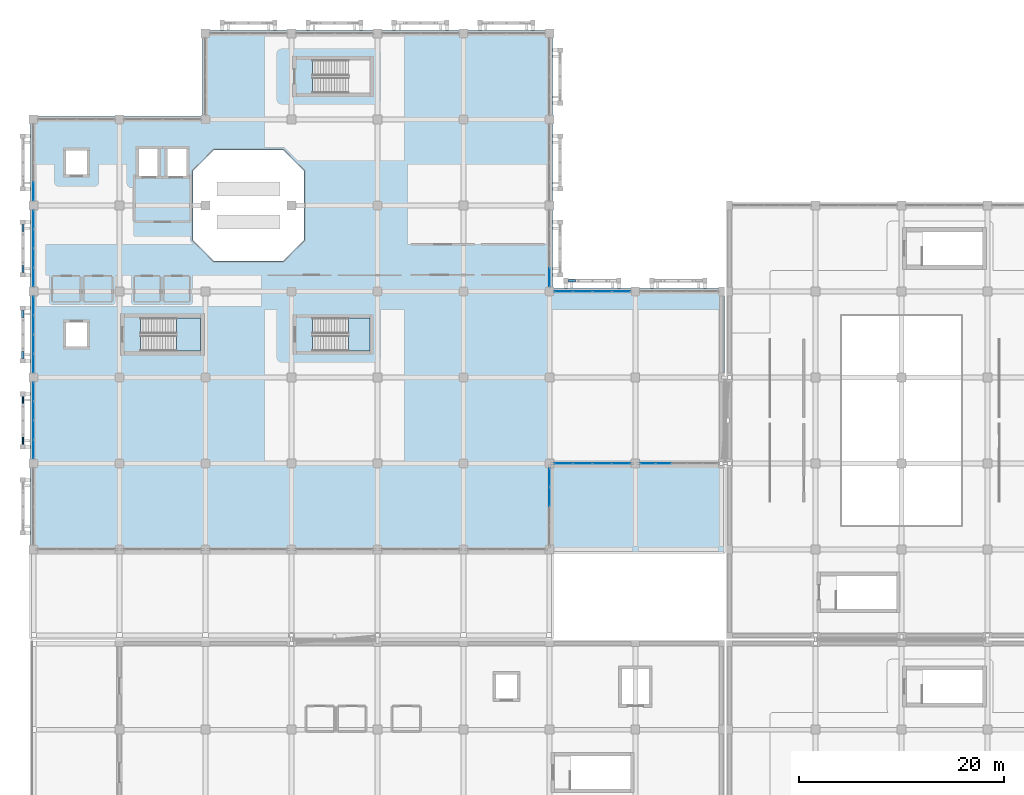
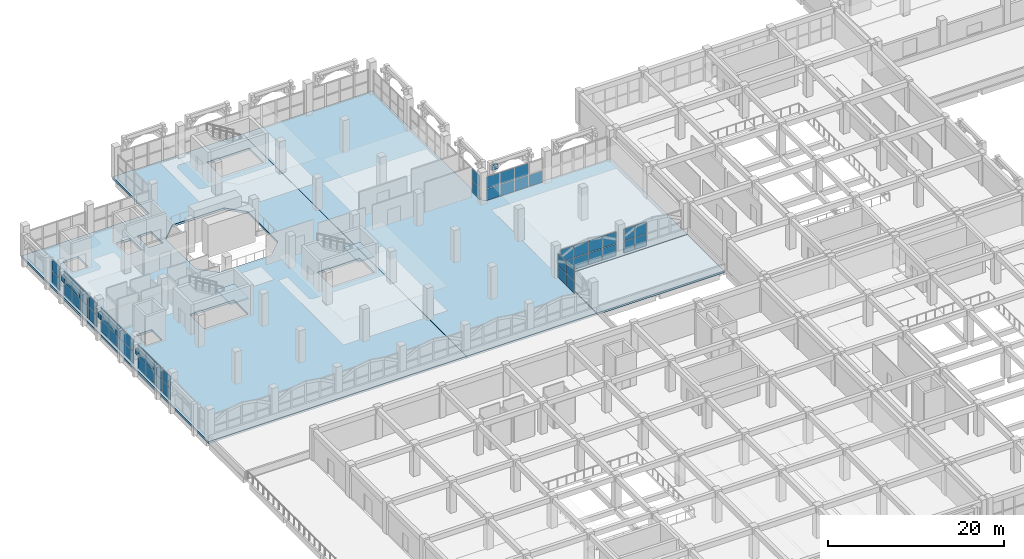
# One storey, part 96 of 129: 58 plates, 5 slabs, 11 elements without a shape of their own.
"""IFC4 building model written with IfcOpenShell, lengths in metres."""

from ifc_helpers import new_model, si_unit, direction, frame, origin, origin_2d, place, context, subcontext, project, spatial, polyline, rectangle, outline, extrude, material, layer, layer_set, type_object, element, aggregate, save


model = new_model("IFC4")

# Units and contexts
model_context = context("Model", 3, precision=1e-05, world=origin(), true_north=direction((0.0, 1.0)))
body_context = subcontext(model_context, "Body", "Model", "MODEL_VIEW")
ifc_project = project(units=[si_unit("LENGTHUNIT", "METRE"), si_unit("AREAUNIT", "SQUARE_METRE"), si_unit("VOLUMEUNIT", "CUBIC_METRE"), si_unit("PLANEANGLEUNIT", "RADIAN"), si_unit("MASSUNIT", "GRAM", prefix="KILO")], contexts=[model_context])

# Site, building, storey
site_placement = place(None, origin())
site = spatial("IfcSite", under=ifc_project, at=site_placement, CompositionType="ELEMENT")
building_placement = place(site_placement, origin())
building = spatial("IfcBuilding", under=site, at=building_placement, Name="Xazarin Passage Department Store", CompositionType="ELEMENT")
storey_placement = place(building_placement, frame((0.0, 0.0, 9.89990234375)))
storey = spatial("IfcBuildingStorey", under=building, at=storey_placement, Name="L02", CompositionType="ELEMENT", Elevation=9.89990234375)

# Curtain wall, plates
ifc_material_1 = material(Name="Bronze anodised aluminium", Category="aluminium")
ifc_layer_1 = layer(ifc_material_1, 0.199951171875)
ifc_layer_set_1 = layer_set([ifc_layer_1], Name="Bronze anodised aluminium")
curtain_wall_type = type_object("IfcCurtainWallType", Name="ARC-CW-VIT2", PredefinedType="NOTDEFINED", material=ifc_layer_set_1)
curtain_wall_1_placement = place(storey_placement, origin())
curtain_wall_1 = element("IfcCurtainWall", 1, at=curtain_wall_1_placement, inside=storey, type_object=curtain_wall_type, Name="L02 V1 Curtain Wall 035", PredefinedType="NOTDEFINED")
ifc_material_2 = material(Name="Low-E laminated safety glass", Category="glass")
ifc_layer_2 = layer(ifc_material_2, 0.031982421875)
ifc_layer_set_2 = layer_set([ifc_layer_2], Name="Low-E laminated safety glass")
plate_type_1 = type_object("IfcPlateType", Name="ARC-CWP-GLZ32", PredefinedType="CURTAIN_PANEL", material=ifc_layer_set_2)
plate_1_placement = place(storey_placement, frame((51.78759765625, 68.0, 0.0751953125), z_axis=(0.0, 0.0, 1.0), x_axis=(1.0, 0.0, 0.0)))
plate_1 = element("IfcPlate", 2, at=plate_1_placement, type_object=plate_type_1, Name="CW2 panel 1.1", PredefinedType="CURTAIN_PANEL", context=body_context, shape_type="SweptSolid", body=[
    extrude(rectangle(XDim=1.77490234375, YDim=0.031982421875, at=origin_2d()), origin(), (0.0, 0.0, 1.0), 1.612548828125),
])
plate_2_placement = place(storey_placement, frame((51.78759765625, 68.0, 1.7626953125), z_axis=(0.0, 0.0, 1.0), x_axis=(1.0, 0.0, 0.0)))
plate_2 = element("IfcPlate", 3, at=plate_2_placement, type_object=plate_type_1, Name="CW2 panel 1.2", PredefinedType="CURTAIN_PANEL", context=body_context, shape_type="SweptSolid", body=[
    extrude(rectangle(XDim=1.77490234375, YDim=0.031982421875, at=origin_2d()), origin(), (0.0, 0.0, 1.0), 1.612548828125),
])
plate_3_placement = place(storey_placement, frame((53.65625, 68.0, 0.0751953125), z_axis=(0.0, 0.0, 1.0), x_axis=(1.0, 0.0, 0.0)))
plate_3 = element("IfcPlate", 4, at=plate_3_placement, type_object=plate_type_1, Name="CW2 panel 2.1", PredefinedType="CURTAIN_PANEL", context=body_context, shape_type="SweptSolid", body=[
    extrude(rectangle(XDim=1.8125, YDim=0.031982421875, at=origin_2d()), origin(), (0.0, 0.0, 1.0), 1.612548828125),
])
plate_4_placement = place(storey_placement, frame((53.65625, 68.0, 1.7626953125), z_axis=(0.0, 0.0, 1.0), x_axis=(1.0, 0.0, 0.0)))
plate_4 = element("IfcPlate", 5, at=plate_4_placement, type_object=plate_type_1, Name="CW2 panel 2.2", PredefinedType="CURTAIN_PANEL", context=body_context, shape_type="SweptSolid", body=[
    extrude(rectangle(XDim=1.8125, YDim=0.031982421875, at=origin_2d()), origin(), (0.0, 0.0, 1.0), 1.612548828125),
])
plate_5_placement = place(storey_placement, frame((55.543701171875, 68.0, 0.0751953125), z_axis=(0.0, 0.0, 1.0), x_axis=(1.0, 0.0, 0.0)))
plate_5 = element("IfcPlate", 6, at=plate_5_placement, type_object=plate_type_1, Name="CW2 panel 3.1", PredefinedType="CURTAIN_PANEL", context=body_context, shape_type="SweptSolid", body=[
    extrude(rectangle(XDim=1.8125, YDim=0.031982421875, at=origin_2d()), origin(), (0.0, 0.0, 1.0), 1.612548828125),
])
plate_6_placement = place(storey_placement, frame((55.543701171875, 68.0, 1.7626953125), z_axis=(0.0, 0.0, 1.0), x_axis=(1.0, 0.0, 0.0)))
plate_6 = element("IfcPlate", 7, at=plate_6_placement, type_object=plate_type_1, Name="CW2 panel 3.2", PredefinedType="CURTAIN_PANEL", context=body_context, shape_type="SweptSolid", body=[
    extrude(rectangle(XDim=1.8125, YDim=0.031982421875, at=origin_2d()), origin(), (0.0, 0.0, 1.0), 1.612548828125),
])
plate_7_placement = place(storey_placement, frame((57.41259765625, 68.0, 0.0751953125), z_axis=(0.0, 0.0, 1.0), x_axis=(1.0, 0.0, 0.0)))
plate_7 = element("IfcPlate", 8, at=plate_7_placement, type_object=plate_type_1, Name="CW2 panel 4.1", PredefinedType="CURTAIN_PANEL", context=body_context, shape_type="SweptSolid", body=[
    extrude(rectangle(XDim=1.77490234375, YDim=0.031982421875, at=origin_2d()), origin(), (0.0, 0.0, 1.0), 1.612548828125),
])
plate_8_placement = place(storey_placement, frame((57.41259765625, 68.0, 1.7626953125), z_axis=(0.0, 0.0, 1.0), x_axis=(1.0, 0.0, 0.0)))
plate_8 = element("IfcPlate", 9, at=plate_8_placement, type_object=plate_type_1, Name="CW2 panel 4.2", PredefinedType="CURTAIN_PANEL", context=body_context, shape_type="SweptSolid", body=[
    extrude(rectangle(XDim=1.77490234375, YDim=0.031982421875, at=origin_2d()), origin(), (0.0, 0.0, 1.0), 1.612548828125),
])
aggregate(curtain_wall_1, [plate_1, plate_2, plate_3, plate_4, plate_5, plate_6, plate_7, plate_8])

curtain_wall_2_placement = place(storey_placement, origin())
curtain_wall_2 = element("IfcCurtainWall", 10, at=curtain_wall_2_placement, inside=storey, type_object=curtain_wall_type, Name="L02 V1 Curtain Wall 036", PredefinedType="NOTDEFINED")
plate_9_placement = place(storey_placement, frame((60.01123046875, 68.0, 0.0751953125), z_axis=(0.0, 0.0, 1.0), x_axis=(1.0, 0.0, 0.0)))
plate_9 = element("IfcPlate", 11, at=plate_9_placement, type_object=plate_type_1, Name="CW2 panel 1.1", PredefinedType="CURTAIN_PANEL", context=body_context, shape_type="SweptSolid", body=[
    extrude(rectangle(XDim=1.422607421875, YDim=0.031982421875, at=origin_2d()), origin(), (0.0, 0.0, 1.0), 1.612548828125),
])
plate_10_placement = place(storey_placement, frame((60.01123046875, 68.0, 1.7626953125), z_axis=(0.0, 0.0, 1.0), x_axis=(1.0, 0.0, 0.0)))
plate_10 = element("IfcPlate", 12, at=plate_10_placement, type_object=plate_type_1, Name="CW2 panel 1.2", PredefinedType="CURTAIN_PANEL", context=body_context, shape_type="SweptSolid", body=[
    extrude(rectangle(XDim=1.422607421875, YDim=0.031982421875, at=origin_2d()), origin(), (0.0, 0.0, 1.0), 1.612548828125),
])
plate_11_placement = place(storey_placement, frame((61.527587890625, 68.0, 0.0751953125), z_axis=(0.0, 0.0, 1.0), x_axis=(1.0, 0.0, 0.0)))
plate_11 = element("IfcPlate", 13, at=plate_11_placement, type_object=plate_type_1, Name="CW2 panel 2.1", PredefinedType="CURTAIN_PANEL", context=body_context, shape_type="SweptSolid", body=[
    extrude(rectangle(XDim=1.4599609375, YDim=0.031982421875, at=origin_2d()), origin(), (0.0, 0.0, 1.0), 1.612548828125),
])
plate_12_placement = place(storey_placement, frame((61.527587890625, 68.0, 1.7626953125), z_axis=(0.0, 0.0, 1.0), x_axis=(1.0, 0.0, 0.0)))
plate_12 = element("IfcPlate", 14, at=plate_12_placement, type_object=plate_type_1, Name="CW2 panel 2.2", PredefinedType="CURTAIN_PANEL", context=body_context, shape_type="SweptSolid", body=[
    extrude(rectangle(XDim=1.4599609375, YDim=0.031982421875, at=origin_2d()), origin(), (0.0, 0.0, 1.0), 1.612548828125),
])
aggregate(curtain_wall_2, [plate_9, plate_10, plate_11, plate_12])

curtain_wall_3_placement = place(storey_placement, origin())
curtain_wall_3 = element("IfcCurtainWall", 15, at=curtain_wall_3_placement, inside=storey, type_object=curtain_wall_type, Name="L02 V1 Curtain Wall 037", PredefinedType="NOTDEFINED")
plate_13_placement = place(storey_placement, frame((51.78759765625, 84.800048828125, 0.0751953125), z_axis=(0.0, 0.0, 1.0), x_axis=(1.0, 0.0, 0.0)))
plate_13 = element("IfcPlate", 16, at=plate_13_placement, type_object=plate_type_1, Name="CW2 panel 1.1", PredefinedType="CURTAIN_PANEL", context=body_context, shape_type="SweptSolid", body=[
    extrude(rectangle(XDim=1.77490234375, YDim=0.031982421875, at=origin_2d()), origin(), (0.0, 0.0, 1.0), 1.612548828125),
])
plate_14_placement = place(storey_placement, frame((51.78759765625, 84.800048828125, 1.7626953125), z_axis=(0.0, 0.0, 1.0), x_axis=(1.0, 0.0, 0.0)))
plate_14 = element("IfcPlate", 17, at=plate_14_placement, type_object=plate_type_1, Name="CW2 panel 1.2", PredefinedType="CURTAIN_PANEL", context=body_context, shape_type="SweptSolid", body=[
    extrude(rectangle(XDim=1.77490234375, YDim=0.031982421875, at=origin_2d()), origin(), (0.0, 0.0, 1.0), 1.612548828125),
])
plate_15_placement = place(storey_placement, frame((53.65625, 84.800048828125, 0.0751953125), z_axis=(0.0, 0.0, 1.0), x_axis=(1.0, 0.0, 0.0)))
plate_15 = element("IfcPlate", 18, at=plate_15_placement, type_object=plate_type_1, Name="CW2 panel 2.1", PredefinedType="CURTAIN_PANEL", context=body_context, shape_type="SweptSolid", body=[
    extrude(rectangle(XDim=1.8125, YDim=0.031982421875, at=origin_2d()), origin(), (0.0, 0.0, 1.0), 1.612548828125),
])
plate_16_placement = place(storey_placement, frame((53.65625, 84.800048828125, 1.7626953125), z_axis=(0.0, 0.0, 1.0), x_axis=(1.0, 0.0, 0.0)))
plate_16 = element("IfcPlate", 19, at=plate_16_placement, type_object=plate_type_1, Name="CW2 panel 2.2", PredefinedType="CURTAIN_PANEL", context=body_context, shape_type="SweptSolid", body=[
    extrude(rectangle(XDim=1.8125, YDim=0.031982421875, at=origin_2d()), origin(), (0.0, 0.0, 1.0), 1.612548828125),
])
plate_17_placement = place(storey_placement, frame((55.543701171875, 84.800048828125, 0.0751953125), z_axis=(0.0, 0.0, 1.0), x_axis=(1.0, 0.0, 0.0)))
plate_17 = element("IfcPlate", 20, at=plate_17_placement, type_object=plate_type_1, Name="CW2 panel 3.1", PredefinedType="CURTAIN_PANEL", context=body_context, shape_type="SweptSolid", body=[
    extrude(rectangle(XDim=1.8125, YDim=0.031982421875, at=origin_2d()), origin(), (0.0, 0.0, 1.0), 1.612548828125),
])
plate_18_placement = place(storey_placement, frame((55.543701171875, 84.800048828125, 1.7626953125), z_axis=(0.0, 0.0, 1.0), x_axis=(1.0, 0.0, 0.0)))
plate_18 = element("IfcPlate", 21, at=plate_18_placement, type_object=plate_type_1, Name="CW2 panel 3.2", PredefinedType="CURTAIN_PANEL", context=body_context, shape_type="SweptSolid", body=[
    extrude(rectangle(XDim=1.8125, YDim=0.031982421875, at=origin_2d()), origin(), (0.0, 0.0, 1.0), 1.612548828125),
])
plate_19_placement = place(storey_placement, frame((57.41259765625, 84.800048828125, 0.0751953125), z_axis=(0.0, 0.0, 1.0), x_axis=(1.0, 0.0, 0.0)))
plate_19 = element("IfcPlate", 22, at=plate_19_placement, type_object=plate_type_1, Name="CW2 panel 4.1", PredefinedType="CURTAIN_PANEL", context=body_context, shape_type="SweptSolid", body=[
    extrude(rectangle(XDim=1.77490234375, YDim=0.031982421875, at=origin_2d()), origin(), (0.0, 0.0, 1.0), 1.612548828125),
])
aggregate(curtain_wall_3, [plate_13, plate_14, plate_15, plate_16, plate_17, plate_18, plate_19])

curtain_wall_4_placement = place(storey_placement, origin())
curtain_wall_4 = element("IfcCurtainWall", 23, at=curtain_wall_4_placement, inside=storey, type_object=curtain_wall_type, Name="L02 V1 Curtain Wall 046", PredefinedType="NOTDEFINED")
plate_20_placement = place(storey_placement, frame((0.0, 69.387451171875, 0.0751953125), z_axis=(0.0, 0.0, 1.0), x_axis=(0.0, 1.0, 0.0)))
plate_20 = element("IfcPlate", 24, at=plate_20_placement, type_object=plate_type_1, Name="CW2 panel 1.1", PredefinedType="CURTAIN_PANEL", context=body_context, shape_type="SweptSolid", body=[
    extrude(rectangle(XDim=1.77490234375, YDim=0.031982421875, at=origin_2d()), origin(), (0.0, 0.0, 1.0), 1.612548828125),
])
plate_21_placement = place(storey_placement, frame((0.0, 69.387451171875, 1.7626953125), z_axis=(0.0, 0.0, 1.0), x_axis=(0.0, 1.0, 0.0)))
plate_21 = element("IfcPlate", 25, at=plate_21_placement, type_object=plate_type_1, Name="CW2 panel 1.2", PredefinedType="CURTAIN_PANEL", context=body_context, shape_type="SweptSolid", body=[
    extrude(rectangle(XDim=1.77490234375, YDim=0.031982421875, at=origin_2d()), origin(), (0.0, 0.0, 1.0), 1.612548828125),
])
plate_22_placement = place(storey_placement, frame((0.0, 71.25634765625, 0.0751953125), z_axis=(0.0, 0.0, 1.0), x_axis=(0.0, 1.0, 0.0)))
plate_22 = element("IfcPlate", 26, at=plate_22_placement, type_object=plate_type_1, Name="CW2 panel 2.1", PredefinedType="CURTAIN_PANEL", context=body_context, shape_type="SweptSolid", body=[
    extrude(rectangle(XDim=1.8125, YDim=0.031982421875, at=origin_2d()), origin(), (0.0, 0.0, 1.0), 1.612548828125),
])
plate_23_placement = place(storey_placement, frame((0.0, 71.25634765625, 1.7626953125), z_axis=(0.0, 0.0, 1.0), x_axis=(0.0, 1.0, 0.0)))
plate_23 = element("IfcPlate", 27, at=plate_23_placement, type_object=plate_type_1, Name="CW2 panel 2.2", PredefinedType="CURTAIN_PANEL", context=body_context, shape_type="SweptSolid", body=[
    extrude(rectangle(XDim=1.8125, YDim=0.031982421875, at=origin_2d()), origin(), (0.0, 0.0, 1.0), 1.612548828125),
])
plate_24_placement = place(storey_placement, frame((0.0, 73.143798828125, 0.0751953125), z_axis=(0.0, 0.0, 1.0), x_axis=(0.0, 1.0, 0.0)))
plate_24 = element("IfcPlate", 28, at=plate_24_placement, type_object=plate_type_1, Name="CW2 panel 3.1", PredefinedType="CURTAIN_PANEL", context=body_context, shape_type="SweptSolid", body=[
    extrude(rectangle(XDim=1.8125, YDim=0.031982421875, at=origin_2d()), origin(), (0.0, 0.0, 1.0), 1.612548828125),
])
plate_25_placement = place(storey_placement, frame((0.0, 73.143798828125, 1.7626953125), z_axis=(0.0, 0.0, 1.0), x_axis=(0.0, 1.0, 0.0)))
plate_25 = element("IfcPlate", 29, at=plate_25_placement, type_object=plate_type_1, Name="CW2 panel 3.2", PredefinedType="CURTAIN_PANEL", context=body_context, shape_type="SweptSolid", body=[
    extrude(rectangle(XDim=1.8125, YDim=0.031982421875, at=origin_2d()), origin(), (0.0, 0.0, 1.0), 1.612548828125),
])
plate_26_placement = place(storey_placement, frame((0.0, 75.012451171875, 0.0751953125), z_axis=(0.0, 0.0, 1.0), x_axis=(0.0, 1.0, 0.0)))
plate_26 = element("IfcPlate", 30, at=plate_26_placement, type_object=plate_type_1, Name="CW2 panel 4.1", PredefinedType="CURTAIN_PANEL", context=body_context, shape_type="SweptSolid", body=[
    extrude(rectangle(XDim=1.77490234375, YDim=0.031982421875, at=origin_2d()), origin(), (0.0, 0.0, 1.0), 1.612548828125),
])
plate_27_placement = place(storey_placement, frame((0.0, 75.012451171875, 1.7626953125), z_axis=(0.0, 0.0, 1.0), x_axis=(0.0, 1.0, 0.0)))
plate_27 = element("IfcPlate", 31, at=plate_27_placement, type_object=plate_type_1, Name="CW2 panel 4.2", PredefinedType="CURTAIN_PANEL", context=body_context, shape_type="SweptSolid", body=[
    extrude(rectangle(XDim=1.77490234375, YDim=0.031982421875, at=origin_2d()), origin(), (0.0, 0.0, 1.0), 1.612548828125),
])
aggregate(curtain_wall_4, [plate_20, plate_21, plate_22, plate_23, plate_24, plate_25, plate_26, plate_27])

curtain_wall_5_placement = place(storey_placement, origin())
curtain_wall_5 = element("IfcCurtainWall", 32, at=curtain_wall_5_placement, inside=storey, type_object=curtain_wall_type, Name="L02 V1 Curtain Wall 047", PredefinedType="NOTDEFINED")
plate_28_placement = place(storey_placement, frame((0.0, 77.78759765625, 0.0751953125), z_axis=(0.0, 0.0, 1.0), x_axis=(0.0, 1.0, 0.0)))
plate_28 = element("IfcPlate", 33, at=plate_28_placement, type_object=plate_type_1, Name="CW2 panel 1.1", PredefinedType="CURTAIN_PANEL", context=body_context, shape_type="SweptSolid", body=[
    extrude(rectangle(XDim=1.77490234375, YDim=0.031982421875, at=origin_2d()), origin(), (0.0, 0.0, 1.0), 1.612548828125),
])
plate_29_placement = place(storey_placement, frame((0.0, 77.78759765625, 1.7626953125), z_axis=(0.0, 0.0, 1.0), x_axis=(0.0, 1.0, 0.0)))
plate_29 = element("IfcPlate", 34, at=plate_29_placement, type_object=plate_type_1, Name="CW2 panel 1.2", PredefinedType="CURTAIN_PANEL", context=body_context, shape_type="SweptSolid", body=[
    extrude(rectangle(XDim=1.77490234375, YDim=0.031982421875, at=origin_2d()), origin(), (0.0, 0.0, 1.0), 1.612548828125),
])
plate_30_placement = place(storey_placement, frame((0.0, 79.65625, 0.0751953125), z_axis=(0.0, 0.0, 1.0), x_axis=(0.0, 1.0, 0.0)))
plate_30 = element("IfcPlate", 35, at=plate_30_placement, type_object=plate_type_1, Name="CW2 panel 2.1", PredefinedType="CURTAIN_PANEL", context=body_context, shape_type="SweptSolid", body=[
    extrude(rectangle(XDim=1.8125, YDim=0.031982421875, at=origin_2d()), origin(), (0.0, 0.0, 1.0), 1.612548828125),
])
plate_31_placement = place(storey_placement, frame((0.0, 79.65625, 1.7626953125), z_axis=(0.0, 0.0, 1.0), x_axis=(0.0, 1.0, 0.0)))
plate_31 = element("IfcPlate", 36, at=plate_31_placement, type_object=plate_type_1, Name="CW2 panel 2.2", PredefinedType="CURTAIN_PANEL", context=body_context, shape_type="SweptSolid", body=[
    extrude(rectangle(XDim=1.8125, YDim=0.031982421875, at=origin_2d()), origin(), (0.0, 0.0, 1.0), 1.612548828125),
])
plate_32_placement = place(storey_placement, frame((0.0, 81.543701171875, 0.0751953125), z_axis=(0.0, 0.0, 1.0), x_axis=(0.0, 1.0, 0.0)))
plate_32 = element("IfcPlate", 37, at=plate_32_placement, type_object=plate_type_1, Name="CW2 panel 3.1", PredefinedType="CURTAIN_PANEL", context=body_context, shape_type="SweptSolid", body=[
    extrude(rectangle(XDim=1.8125, YDim=0.031982421875, at=origin_2d()), origin(), (0.0, 0.0, 1.0), 1.612548828125),
])
plate_33_placement = place(storey_placement, frame((0.0, 81.543701171875, 1.7626953125), z_axis=(0.0, 0.0, 1.0), x_axis=(0.0, 1.0, 0.0)))
plate_33 = element("IfcPlate", 38, at=plate_33_placement, type_object=plate_type_1, Name="CW2 panel 3.2", PredefinedType="CURTAIN_PANEL", context=body_context, shape_type="SweptSolid", body=[
    extrude(rectangle(XDim=1.8125, YDim=0.031982421875, at=origin_2d()), origin(), (0.0, 0.0, 1.0), 1.612548828125),
])
plate_34_placement = place(storey_placement, frame((0.0, 83.41259765625, 0.0751953125), z_axis=(0.0, 0.0, 1.0), x_axis=(0.0, 1.0, 0.0)))
plate_34 = element("IfcPlate", 39, at=plate_34_placement, type_object=plate_type_1, Name="CW2 panel 4.1", PredefinedType="CURTAIN_PANEL", context=body_context, shape_type="SweptSolid", body=[
    extrude(rectangle(XDim=1.77490234375, YDim=0.031982421875, at=origin_2d()), origin(), (0.0, 0.0, 1.0), 1.612548828125),
])
plate_35_placement = place(storey_placement, frame((0.0, 83.41259765625, 1.7626953125), z_axis=(0.0, 0.0, 1.0), x_axis=(0.0, 1.0, 0.0)))
plate_35 = element("IfcPlate", 40, at=plate_35_placement, type_object=plate_type_1, Name="CW2 panel 4.2", PredefinedType="CURTAIN_PANEL", context=body_context, shape_type="SweptSolid", body=[
    extrude(rectangle(XDim=1.77490234375, YDim=0.031982421875, at=origin_2d()), origin(), (0.0, 0.0, 1.0), 1.612548828125),
])
aggregate(curtain_wall_5, [plate_28, plate_29, plate_30, plate_31, plate_32, plate_33, plate_34, plate_35])

curtain_wall_6_placement = place(storey_placement, origin())
curtain_wall_6 = element("IfcCurtainWall", 41, at=curtain_wall_6_placement, inside=storey, type_object=curtain_wall_type, Name="L02 V1 Curtain Wall 048", PredefinedType="NOTDEFINED")
plate_36_placement = place(storey_placement, frame((0.0, 86.1875, 0.0751953125), z_axis=(0.0, 0.0, 1.0), x_axis=(0.0, 1.0, 0.0)))
plate_36 = element("IfcPlate", 42, at=plate_36_placement, type_object=plate_type_1, Name="CW2 panel 1.1", PredefinedType="CURTAIN_PANEL", context=body_context, shape_type="SweptSolid", body=[
    extrude(rectangle(XDim=1.77490234375, YDim=0.031982421875, at=origin_2d()), origin(), (0.0, 0.0, 1.0), 1.612548828125),
])
plate_37_placement = place(storey_placement, frame((0.0, 86.1875, 1.7626953125), z_axis=(0.0, 0.0, 1.0), x_axis=(0.0, 1.0, 0.0)))
plate_37 = element("IfcPlate", 43, at=plate_37_placement, type_object=plate_type_1, Name="CW2 panel 1.2", PredefinedType="CURTAIN_PANEL", context=body_context, shape_type="SweptSolid", body=[
    extrude(rectangle(XDim=1.77490234375, YDim=0.031982421875, at=origin_2d()), origin(), (0.0, 0.0, 1.0), 1.612548828125),
])
plate_38_placement = place(storey_placement, frame((0.0, 88.05615234375, 0.0751953125), z_axis=(0.0, 0.0, 1.0), x_axis=(0.0, 1.0, 0.0)))
plate_38 = element("IfcPlate", 44, at=plate_38_placement, type_object=plate_type_1, Name="CW2 panel 2.1", PredefinedType="CURTAIN_PANEL", context=body_context, shape_type="SweptSolid", body=[
    extrude(rectangle(XDim=1.8125, YDim=0.031982421875, at=origin_2d()), origin(), (0.0, 0.0, 1.0), 1.612548828125),
])
plate_39_placement = place(storey_placement, frame((0.0, 88.05615234375, 1.7626953125), z_axis=(0.0, 0.0, 1.0), x_axis=(0.0, 1.0, 0.0)))
plate_39 = element("IfcPlate", 45, at=plate_39_placement, type_object=plate_type_1, Name="CW2 panel 2.2", PredefinedType="CURTAIN_PANEL", context=body_context, shape_type="SweptSolid", body=[
    extrude(rectangle(XDim=1.8125, YDim=0.031982421875, at=origin_2d()), origin(), (0.0, 0.0, 1.0), 1.612548828125),
])
plate_40_placement = place(storey_placement, frame((0.0, 89.94384765625, 0.0751953125), z_axis=(0.0, 0.0, 1.0), x_axis=(0.0, 1.0, 0.0)))
plate_40 = element("IfcPlate", 46, at=plate_40_placement, type_object=plate_type_1, Name="CW2 panel 3.1", PredefinedType="CURTAIN_PANEL", context=body_context, shape_type="SweptSolid", body=[
    extrude(rectangle(XDim=1.8125, YDim=0.031982421875, at=origin_2d()), origin(), (0.0, 0.0, 1.0), 1.612548828125),
])
plate_41_placement = place(storey_placement, frame((0.0, 89.94384765625, 1.7626953125), z_axis=(0.0, 0.0, 1.0), x_axis=(0.0, 1.0, 0.0)))
plate_41 = element("IfcPlate", 47, at=plate_41_placement, type_object=plate_type_1, Name="CW2 panel 3.2", PredefinedType="CURTAIN_PANEL", context=body_context, shape_type="SweptSolid", body=[
    extrude(rectangle(XDim=1.8125, YDim=0.031982421875, at=origin_2d()), origin(), (0.0, 0.0, 1.0), 1.612548828125),
])
plate_42_placement = place(storey_placement, frame((0.0, 91.8125, 0.0751953125), z_axis=(0.0, 0.0, 1.0), x_axis=(0.0, 1.0, 0.0)))
plate_42 = element("IfcPlate", 48, at=plate_42_placement, type_object=plate_type_1, Name="CW2 panel 4.1", PredefinedType="CURTAIN_PANEL", context=body_context, shape_type="SweptSolid", body=[
    extrude(rectangle(XDim=1.77490234375, YDim=0.031982421875, at=origin_2d()), origin(), (0.0, 0.0, 1.0), 1.612548828125),
])
plate_43_placement = place(storey_placement, frame((0.0, 91.8125, 1.7626953125), z_axis=(0.0, 0.0, 1.0), x_axis=(0.0, 1.0, 0.0)))
plate_43 = element("IfcPlate", 49, at=plate_43_placement, type_object=plate_type_1, Name="CW2 panel 4.2", PredefinedType="CURTAIN_PANEL", context=body_context, shape_type="SweptSolid", body=[
    extrude(rectangle(XDim=1.77490234375, YDim=0.031982421875, at=origin_2d()), origin(), (0.0, 0.0, 1.0), 1.612548828125),
])
aggregate(curtain_wall_6, [plate_36, plate_37, plate_38, plate_39, plate_40, plate_41, plate_42, plate_43])

curtain_wall_7_placement = place(storey_placement, origin())
curtain_wall_7 = element("IfcCurtainWall", 50, at=curtain_wall_7_placement, inside=storey, type_object=curtain_wall_type, Name="L02 V1 Curtain Wall 049", PredefinedType="NOTDEFINED")
plate_44_placement = place(storey_placement, frame((0.0, 94.58740234375, 0.0751953125), z_axis=(0.0, 0.0, 1.0), x_axis=(0.0, 1.0, 0.0)))
plate_44 = element("IfcPlate", 51, at=plate_44_placement, type_object=plate_type_1, Name="CW2 panel 1.1", PredefinedType="CURTAIN_PANEL", context=body_context, shape_type="SweptSolid", body=[
    extrude(rectangle(XDim=1.77490234375, YDim=0.031982421875, at=origin_2d()), origin(), (0.0, 0.0, 1.0), 1.612548828125),
])
plate_45_placement = place(storey_placement, frame((0.0, 94.58740234375, 1.7626953125), z_axis=(0.0, 0.0, 1.0), x_axis=(0.0, 1.0, 0.0)))
plate_45 = element("IfcPlate", 52, at=plate_45_placement, type_object=plate_type_1, Name="CW2 panel 1.2", PredefinedType="CURTAIN_PANEL", context=body_context, shape_type="SweptSolid", body=[
    extrude(rectangle(XDim=1.77490234375, YDim=0.031982421875, at=origin_2d()), origin(), (0.0, 0.0, 1.0), 1.612548828125),
])
aggregate(curtain_wall_7, [plate_44, plate_45])

curtain_wall_8_placement = place(storey_placement, origin())
curtain_wall_8 = element("IfcCurtainWall", 53, at=curtain_wall_8_placement, inside=storey, type_object=curtain_wall_type, Name="L02 V1 Curtain Wall 051", PredefinedType="NOTDEFINED")
plate_46_placement = place(storey_placement, frame((50.39990234375, 64.74365234375, 0.0751953125), z_axis=(0.0, 0.0, 1.0), x_axis=(0.0, 1.0, 0.0)))
plate_46 = element("IfcPlate", 54, at=plate_46_placement, type_object=plate_type_1, Name="CW2 panel 3.1", PredefinedType="CURTAIN_PANEL", context=body_context, shape_type="SweptSolid", body=[
    extrude(rectangle(XDim=1.8125, YDim=0.031982421875, at=origin_2d()), origin(), (0.0, 0.0, 1.0), 1.612548828125),
])
plate_47_placement = place(storey_placement, frame((50.39990234375, 64.74365234375, 1.7626953125), z_axis=(0.0, 0.0, 1.0), x_axis=(0.0, 1.0, 0.0)))
plate_47 = element("IfcPlate", 55, at=plate_47_placement, type_object=plate_type_1, Name="CW2 panel 3.2", PredefinedType="CURTAIN_PANEL", context=body_context, shape_type="SweptSolid", body=[
    extrude(rectangle(XDim=1.8125, YDim=0.031982421875, at=origin_2d()), origin(), (0.0, 0.0, 1.0), 1.612548828125),
])
plate_48_placement = place(storey_placement, frame((50.39990234375, 66.612548828125, 0.0751953125), z_axis=(0.0, 0.0, 1.0), x_axis=(0.0, 1.0, 0.0)))
plate_48 = element("IfcPlate", 56, at=plate_48_placement, type_object=plate_type_1, Name="CW2 panel 4.1", PredefinedType="CURTAIN_PANEL", context=body_context, shape_type="SweptSolid", body=[
    extrude(rectangle(XDim=1.77490234375, YDim=0.031982421875, at=origin_2d()), origin(), (0.0, 0.0, 1.0), 1.612548828125),
])
plate_49_placement = place(storey_placement, frame((50.39990234375, 66.612548828125, 1.7626953125), z_axis=(0.0, 0.0, 1.0), x_axis=(0.0, 1.0, 0.0)))
plate_49 = element("IfcPlate", 57, at=plate_49_placement, type_object=plate_type_1, Name="CW2 panel 4.2", PredefinedType="CURTAIN_PANEL", context=body_context, shape_type="SweptSolid", body=[
    extrude(rectangle(XDim=1.77490234375, YDim=0.031982421875, at=origin_2d()), origin(), (0.0, 0.0, 1.0), 1.612548828125),
])
aggregate(curtain_wall_8, [plate_46, plate_47, plate_48, plate_49])

curtain_wall_9_placement = place(storey_placement, origin())
curtain_wall_9 = element("IfcCurtainWall", 58, at=curtain_wall_9_placement, inside=storey, type_object=curtain_wall_type, Name="L02 V1 Curtain Wall 052", PredefinedType="NOTDEFINED")
plate_50_placement = place(storey_placement, frame((50.39990234375, 86.1875, 0.0751953125), z_axis=(0.0, 0.0, 1.0), x_axis=(0.0, 1.0, 0.0)))
plate_50 = element("IfcPlate", 59, at=plate_50_placement, type_object=plate_type_1, Name="CW2 panel 1.1", PredefinedType="CURTAIN_PANEL", context=body_context, shape_type="SweptSolid", body=[
    extrude(rectangle(XDim=1.77490234375, YDim=0.031982421875, at=origin_2d()), origin(), (0.0, 0.0, 1.0), 1.612548828125),
])
plate_51_placement = place(storey_placement, frame((50.39990234375, 86.1875, 1.7626953125), z_axis=(0.0, 0.0, 1.0), x_axis=(0.0, 1.0, 0.0)))
plate_51 = element("IfcPlate", 60, at=plate_51_placement, type_object=plate_type_1, Name="CW2 panel 1.2", PredefinedType="CURTAIN_PANEL", context=body_context, shape_type="SweptSolid", body=[
    extrude(rectangle(XDim=1.77490234375, YDim=0.031982421875, at=origin_2d()), origin(), (0.0, 0.0, 1.0), 1.612548828125),
])
aggregate(curtain_wall_9, [plate_50, plate_51])

# Plates
ifc_material_3 = material(Name="Precast concrete C40/50", Category="concrete")
ifc_layer_3 = layer(ifc_material_3, 0.139892578125)
ifc_layer_set_3 = layer_set([ifc_layer_3], Name="Precast concrete C40/50")
plate_type_2 = type_object("IfcPlateType", Name="ARC-PLT-SCR-07", PredefinedType="USERDEFINED", material=ifc_layer_set_3)
for number, where, z_axis, x_axis, name in (
    (61, (-1.050048828125, 70.199951171875, 3.26025390625), (0.0, 0.0, 1.0), (0.0, 1.0, 0.0), "L02 V1 Arch Spandrel Tympanum 0087"),
    (62, (-1.050048828125, 74.199951171875, 3.26025390625), (0.0, 0.0, 1.0), (0.0, 1.0, 0.0), "L02 V1 Arch Spandrel Tympanum 0088"),
):
    element("IfcPlate", number, at=place(storey_placement, frame(where, z_axis=z_axis, x_axis=x_axis)), inside=storey, type_object=plate_type_2, Name=name, ObjectType="SCREEN PANEL", PredefinedType="USERDEFINED", context=body_context, shape_type="SweptSolid", body=[
        extrude(rectangle(XDim=0.679931640625, YDim=0.139892578125, at=origin_2d()), origin(), (0.0, 0.0, 1.0), 0.719970703125),
    ])
ifc_layer_4 = layer(ifc_material_3, 0.199951171875)
ifc_layer_set_4 = layer_set([ifc_layer_4], Name="Precast concrete C40/50")
plate_type_3 = type_object("IfcPlateType", Name="ARC-PLT-SCR-13", PredefinedType="USERDEFINED", material=ifc_layer_set_4)
for number, where, z_axis, x_axis, name in (
    (63, (-1.050048828125, 87.0, 3.26025390625), (0.0, 0.0, 1.0), (0.0, 1.0, 0.0), "L02 V1 Arch Spandrel Tympanum 0113"),
    (64, (-1.050048828125, 91.0, 3.26025390625), (0.0, 0.0, 1.0), (0.0, 1.0, 0.0), "L02 V1 Arch Spandrel Tympanum 0114"),
):
    element("IfcPlate", number, at=place(storey_placement, frame(where, z_axis=z_axis, x_axis=x_axis)), inside=storey, type_object=plate_type_3, Name=name, ObjectType="SCREEN PANEL", PredefinedType="USERDEFINED", context=body_context, shape_type="SweptSolid", body=[
        extrude(rectangle(XDim=0.679931640625, YDim=0.199951171875, at=origin_2d()), origin(), (0.0, 0.0, 1.0), 0.719970703125),
    ])
ifc_layer_5 = layer(ifc_material_3, 0.239990234375)
ifc_layer_set_5 = layer_set([ifc_layer_5], Name="Precast concrete C40/50")
plate_type_4 = type_object("IfcPlateType", Name="ARC-PLT-SCR-17", PredefinedType="USERDEFINED", material=ifc_layer_set_5)
for number, where, z_axis, x_axis, name in (
    (65, (52.60009765625, 85.85009765625, 3.26025390625), (0.0, 0.0, 1.0), (1.0, 0.0, 0.0), "L02 V1 Arch Spandrel Tympanum 0057"),
    (66, (-1.050048828125, 78.60009765625, 3.26025390625), (0.0, 0.0, 1.0), (0.0, 1.0, 0.0), "L02 V1 Arch Spandrel Tympanum 0097"),
    (67, (-1.050048828125, 82.60009765625, 3.26025390625), (0.0, 0.0, 1.0), (0.0, 1.0, 0.0), "L02 V1 Arch Spandrel Tympanum 0098"),
):
    element("IfcPlate", number, at=place(storey_placement, frame(where, z_axis=z_axis, x_axis=x_axis)), inside=storey, type_object=plate_type_4, Name=name, ObjectType="SCREEN PANEL", PredefinedType="USERDEFINED", context=body_context, shape_type="SweptSolid", body=[
        extrude(rectangle(XDim=0.679931640625, YDim=0.239990234375, at=origin_2d()), origin(), (0.0, 0.0, 1.0), 0.719970703125),
    ])

# Slabs
ifc_material_4 = material(Name="Concrete C35/45", Category="concrete")
ifc_layer_6 = layer(ifc_material_4, 0.300048828125)
ifc_layer_set_6 = layer_set([ifc_layer_6], Name="Concrete C35/45")
slab_type_1 = type_object("IfcSlabType", Name="STR-SLB-FLR300", PredefinedType="FLOOR", material=ifc_layer_set_6)
slab_1_placement = place(storey_placement, frame((0.0, 0.0, -0.2998046875)))
element("IfcSlab", 68, at=slab_1_placement, inside=storey, type_object=slab_type_1, Name="L02 V1 Suspended Floor Slab Bay 1", PredefinedType="FLOOR", context=body_context, shape_type="SweptSolid", body=[
    extrude(outline(polyline([(33.590087890625, 59.300048828125), (33.590087890625, 110.300048828125), (16.5, 110.300048828125), (16.5, 101.89990234375), (-0.300048828125, 101.89990234375), (-0.300048828125, 59.300048828125), (33.590087890625, 59.300048828125)]), holes=[polyline([(32.85009765625, 82.219970703125), (32.85009765625, 78.97998046875), (27.251953125, 78.97998046875), (27.251953125, 82.219970703125), (32.85009765625, 82.219970703125)]), polyline([(32.85009765625, 107.419921875), (32.85009765625, 104.179931640625), (27.251953125, 104.179931640625), (27.251953125, 107.419921875), (32.85009765625, 107.419921875)]), polyline([(15.60009765625, 96.60009765625), (17.60009765625, 98.60009765625), (24.39990234375, 98.60009765625), (26.39990234375, 96.60009765625), (26.39990234375, 89.800048828125), (24.39990234375, 87.800048828125), (17.60009765625, 87.800048828125), (15.60009765625, 89.800048828125), (15.60009765625, 96.60009765625)]), polyline([(16.300048828125, 82.219970703125), (16.300048828125, 78.97998046875), (10.451904296875, 78.97998046875), (10.451904296875, 82.219970703125), (16.300048828125, 82.219970703125)]), polyline([(13.080078125, 98.719970703125), (14.919921875, 98.719970703125), (14.919921875, 96.080078125), (13.080078125, 96.080078125), (13.080078125, 98.719970703125)]), polyline([(10.280029296875, 98.719970703125), (12.1201171875, 98.719970703125), (12.1201171875, 96.080078125), (10.280029296875, 96.080078125), (10.280029296875, 98.719970703125)]), polyline([(3.179931640625, 81.77001953125), (5.219970703125, 81.77001953125), (5.219970703125, 79.429931640625), (3.179931640625, 79.429931640625), (3.179931640625, 81.77001953125)]), polyline([(3.179931640625, 98.570068359375), (5.219970703125, 98.570068359375), (5.219970703125, 96.22998046875), (3.179931640625, 96.22998046875), (3.179931640625, 98.570068359375)])]), origin(), (0.0, 0.0, 1.0), 0.2998046875),
])
slab_2_placement = place(storey_placement, frame((0.0, 0.0, -0.2998046875)))
element("IfcSlab", 69, at=slab_2_placement, inside=storey, type_object=slab_type_1, Name="L02 V1 Suspended Floor Slab Bay 2", PredefinedType="FLOOR", context=body_context, shape_type="SweptSolid", body=[
    extrude(outline(polyline([(50.699951171875, 67.699951171875), (67.5, 67.699951171875), (67.5, 85.10009765625), (50.699951171875, 85.10009765625), (50.699951171875, 110.300048828125), (33.610107421875, 110.300048828125), (33.610107421875, 59.300048828125), (50.699951171875, 59.300048828125), (50.699951171875, 67.699951171875)])), origin(), (0.0, 0.0, 1.0), 0.2998046875),
])

# Stair, slab
stair_type = type_object("IfcStairType", Name="ARC-ST-TYP", PredefinedType="HALF_TURN_STAIR", material=ifc_material_4)
stair_1_placement = place(storey_placement, origin())
stair_1 = element("IfcStair", 70, at=stair_1_placement, inside=storey, type_object=stair_type, Name="L02 Exit Stair ST1", PredefinedType="HALF_TURN_STAIR")
ifc_layer_7 = layer(ifc_material_4, 0.199951171875)
ifc_layer_set_7 = layer_set([ifc_layer_7], Name="Concrete C35/45")
slab_type_2 = type_object("IfcSlabType", Name="STR-SLB-LND200", PredefinedType="LANDING", material=ifc_layer_set_7)
slab_3_placement = place(storey_placement, frame((0.0, 0.0, 2.050048828125)))
slab_3 = element("IfcSlab", 71, at=slab_3_placement, type_object=slab_type_2, Name="ST1 landing 1", PredefinedType="LANDING", context=body_context, shape_type="SweptSolid", body=[
    extrude(outline(polyline([(13.949951171875, 78.97998046875), (16.300048828125, 78.97998046875), (16.300048828125, 82.219970703125), (13.949951171875, 82.219970703125), (13.949951171875, 78.97998046875)])), origin(), (0.0, 0.0, 1.0), 0.199951171875),
])
aggregate(stair_1, [slab_3])

stair_2_placement = place(storey_placement, origin())
stair_2 = element("IfcStair", 72, at=stair_2_placement, inside=storey, type_object=stair_type, Name="L02 Exit Stair ST3", PredefinedType="HALF_TURN_STAIR")
slab_4_placement = place(storey_placement, frame((0.0, 0.0, 2.050048828125)))
slab_4 = element("IfcSlab", 73, at=slab_4_placement, type_object=slab_type_2, Name="ST3 landing 1", PredefinedType="LANDING", context=body_context, shape_type="SweptSolid", body=[
    extrude(outline(polyline([(30.75, 78.97998046875), (32.85009765625, 78.97998046875), (32.85009765625, 82.219970703125), (30.75, 82.219970703125), (30.75, 78.97998046875)])), origin(), (0.0, 0.0, 1.0), 0.199951171875),
])
aggregate(stair_2, [slab_4])

# Slab
ifc_layer_8 = layer(ifc_material_4, 0.260009765625)
ifc_layer_set_8 = layer_set([ifc_layer_8], Name="Concrete C35/45")
slab_type_3 = type_object("IfcSlabType", Name="STR-SLB-RF260", PredefinedType="ROOF", material=ifc_layer_set_8)
slab_5_placement = place(storey_placement, frame((0.0, 0.0, -0.260009765625)))
element("IfcSlab", 74, at=slab_5_placement, inside=storey, type_object=slab_type_3, Name="L02 V1 Setback Roof Slab 1", PredefinedType="ROOF", context=body_context, shape_type="SweptSolid", body=[
    extrude(outline(polyline([(67.5, 59.300048828125), (67.5, 67.64990234375), (50.75, 67.64990234375), (50.75, 59.300048828125), (67.5, 59.300048828125)])), origin(), (0.0, 0.0, 1.0), 0.260009765625),
])

save(model, "model.ifc")
